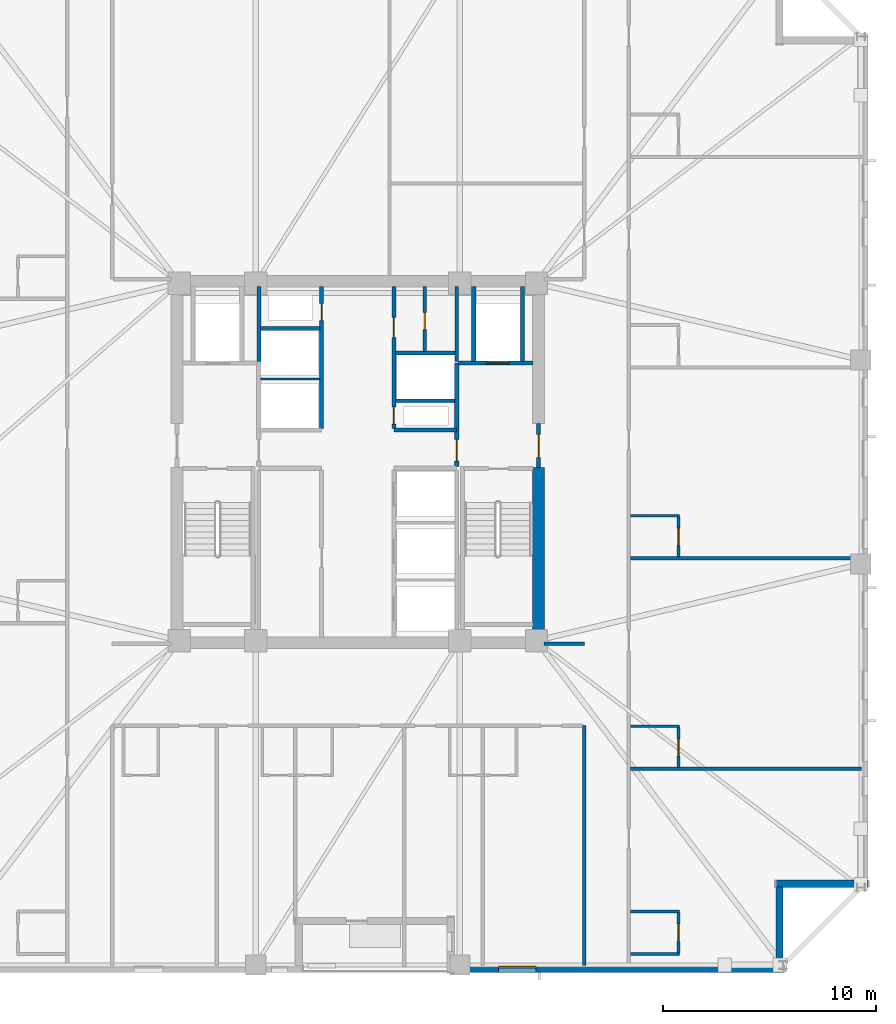
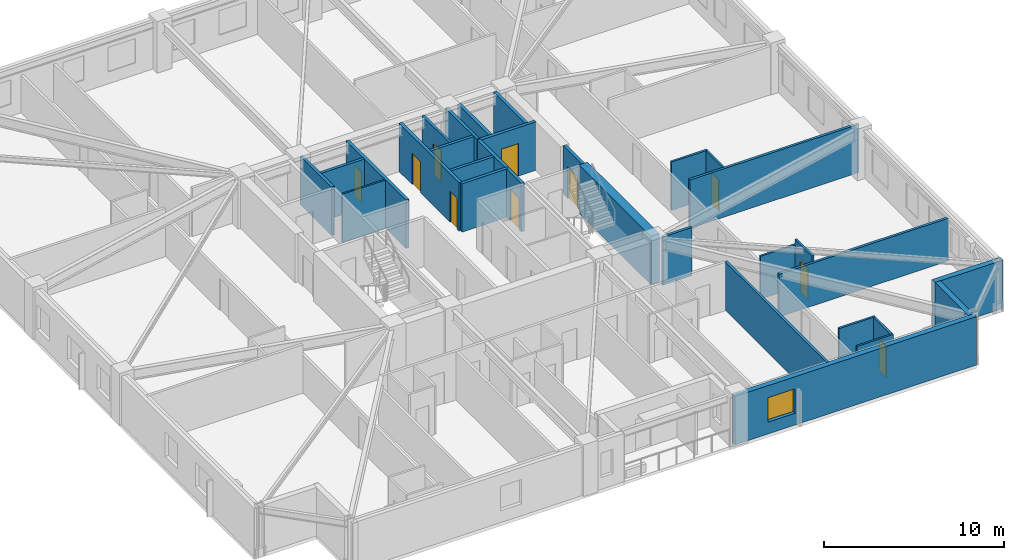
# One storey, part 4 of 11: 30 walls, 10 doors, 1 window, 11 openings.
"""IFC4 building model written with IfcOpenShell, lengths in metres."""

from ifc_helpers import new_model, si_unit, direction, frame, frame_2d, origin, place, context, subcontext, project, spatial, rectangle, extrude, material, layer, layer_set, type_object, element, fill, save


model = new_model("IFC4")

# Units and contexts
model_context = context("Model", 3, precision=1e-05, world=origin(), true_north=direction((0.0, 1.0)))
body_context = subcontext(model_context, "Body", "Model", "MODEL_VIEW")
ifc_project = project(units=[si_unit("LENGTHUNIT", "METRE"), si_unit("AREAUNIT", "SQUARE_METRE"), si_unit("VOLUMEUNIT", "CUBIC_METRE"), si_unit("PLANEANGLEUNIT", "RADIAN"), si_unit("MASSUNIT", "GRAM", prefix="KILO")], contexts=[model_context])

# Site, building, storey
site_placement = place(None, origin())
site = spatial("IfcSite", under=ifc_project, at=site_placement, CompositionType="ELEMENT")
building_placement = place(site_placement, origin())
building = spatial("IfcBuilding", under=site, at=building_placement, Name="Cairnveth Concourse Tower", CompositionType="ELEMENT")
storey_placement = place(building_placement, frame((0.0, 0.0, 158.5)))
storey = spatial("IfcBuildingStorey", under=building, at=storey_placement, Name="L43", CompositionType="ELEMENT", Elevation=158.5)

# Wall, opening, door
ifc_material_1 = material(Name="Gypsum Plasterboard Partition", Category="gypsum")
ifc_layer_1 = layer(ifc_material_1, 0.159912109375)
ifc_layer_set_1 = layer_set([ifc_layer_1], Name="Gypsum Plasterboard Partition")
wall_type_1 = type_object("IfcWallType", Name="ACOUSTIC PARTY WALL 180", PredefinedType="PARTITIONING", material=ifc_layer_set_1)
wall_1_placement = place(storey_placement, frame((55.14990234375, 44.195068359375, 0.0), z_axis=(0.0, 0.0, 1.0), x_axis=(0.0, 1.0, 0.0)))
wall_1 = element("IfcWall", 1, at=wall_1_placement, inside=storey, type_object=wall_type_1, Name="Interior Wall IW-L43-035", PredefinedType="PARTITIONING", context=body_context, shape_type="SweptSolid", body=[
    extrude(rectangle(XDim=3.044921875, YDim=0.159912109375, at=frame_2d((1.5224609375, 0.0))), origin(), (0.0, 0.0, 1.0), 3.280029296875),
])
opening_1_placement = place(wall_1_placement, frame((1.02490234375, 0.0, 0.0)))
opening_1 = element("IfcOpeningElement", 2, at=opening_1_placement, cuts=wall_1, Name="Opening ID23", PredefinedType="OPENING", context=body_context, shape_type="SweptSolid", body=[
    extrude(rectangle(XDim=0.800048828125, YDim=2.10009765625, at=frame_2d((0.39990234375, 1.050048828125))), frame((0.0, 0.08984375, 0.0), z_axis=(0.0, -1.0, 0.0), x_axis=(1.0, 0.0, 0.0)), (0.0, 0.0, 1.0), 0.179931640625),
])
ifc_material_2 = material(Name="Steel Grade 350", Category="steel")
door_type_1 = type_object("IfcDoorType", Name="CORE SERVICE DOOR 800X2100", OperationType="NOTDEFINED", PredefinedType="DOOR", material=ifc_material_2)
door_1_placement = place(opening_1_placement, origin())
door_1 = element("IfcDoor", 3, at=door_1_placement, inside=storey, type_object=door_type_1, Name="NE Linen Closet Door L43", OperationType="SINGLE_SWING_RIGHT", OverallHeight=2.10009765625, OverallWidth=0.800048828125, PredefinedType="DOOR", context=body_context, shape_type="SweptSolid", body=[
    extrude(rectangle(XDim=0.800048828125, YDim=2.10009765625, at=frame_2d((0.39990234375, 1.050048828125))), frame((0.0, 0.02490234375, 0.0), z_axis=(0.0, -1.0, 0.0), x_axis=(1.0, 0.0, 0.0)), (0.0, 0.0, 1.0), 0.050048828125),
])
fill(opening_1, door_1)

# Walls
wall_2_placement = place(storey_placement, frame((62.64990234375, 15.324951171875, 0.0), z_axis=(0.0, 0.0, 1.0), x_axis=(0.0, 1.0, 0.0)))
element("IfcWall", 4, at=wall_2_placement, inside=storey, type_object=wall_type_1, Name="Interior Wall IW-L43-042", PredefinedType="PARTITIONING", context=body_context, shape_type="SweptSolid", body=[
    extrude(rectangle(XDim=11.275146484375, YDim=0.159912109375, at=frame_2d((5.6376953125, 0.0))), origin(), (0.0, 0.0, 1.0), 3.280029296875),
])
wall_3_placement = place(storey_placement, frame((60.764892578125, 30.449951171875, 0.0), z_axis=(0.0, 0.0, 1.0), x_axis=(1.0, 0.0, 0.0)))
element("IfcWall", 5, at=wall_3_placement, inside=storey, type_object=wall_type_1, Name="Interior Wall IW-L43-044", PredefinedType="PARTITIONING", context=body_context, shape_type="SweptSolid", body=[
    extrude(rectangle(XDim=1.885009765625, YDim=0.159912109375, at=frame_2d((0.9423828125, 0.0))), origin(), (0.0, 0.0, 1.0), 3.280029296875),
])
wall_4_placement = place(storey_placement, frame((64.830078125, 24.577392578125, 0.0), z_axis=(0.0, 0.0, 1.0), x_axis=(1.0, 0.0, 0.0)))
element("IfcWall", 6, at=wall_4_placement, inside=storey, type_object=wall_type_1, Name="Interior Wall IW-L43-076", PredefinedType="PARTITIONING", context=body_context, shape_type="SweptSolid", body=[
    extrude(rectangle(XDim=10.844970703125, YDim=0.159912109375, at=frame_2d((5.42236328125, 0.0))), origin(), (0.0, 0.0, 1.0), 2.89599609375),
])
wall_5_placement = place(storey_placement, frame((64.830078125, 34.47412109375, 0.0), z_axis=(0.0, 0.0, 1.0), x_axis=(1.0, 0.0, 0.0)))
element("IfcWall", 7, at=wall_5_placement, inside=storey, type_object=wall_type_1, Name="Interior Wall IW-L43-079", PredefinedType="PARTITIONING", context=body_context, shape_type="SweptSolid", body=[
    extrude(rectangle(XDim=10.844970703125, YDim=0.159912109375, at=frame_2d((5.42236328125, 0.0))), origin(), (0.0, 0.0, 1.0), 3.280029296875),
])
ifc_material_3 = material(Name="Concrete N80 (80 MPa)", Category="concrete")
ifc_layer_2 = layer(ifc_material_3, 0.550048828125)
ifc_layer_set_2 = layer_set([ifc_layer_2], Name="Concrete N80 (80 MPa)")
wall_type_2 = type_object("IfcWallType", Name="CORE SHEAR WALL 550", PredefinedType="SHEAR", material=ifc_layer_set_2)
wall_6_placement = place(storey_placement, frame((60.5, 30.764892578125, 0.0), z_axis=(0.0, 0.0, 1.0), x_axis=(0.0, 1.0, 0.0)))
element("IfcWall", 8, at=wall_6_placement, inside=storey, type_object=wall_type_2, Name="Core East Shear Wall S L43", PredefinedType="SHEAR", context=body_context, shape_type="SweptSolid", body=[
    extrude(rectangle(XDim=7.985107421875, YDim=0.550048828125, at=frame_2d((3.99267578125, 0.0))), origin(), (0.0, 0.0, 1.0), 3.280029296875),
])
ifc_material_4 = material(Name="Concrete N50 (50 MPa)", Category="concrete")
ifc_layer_3 = layer(ifc_material_4, 0.179931640625)
ifc_layer_set_3 = layer_set([ifc_layer_3], Name="Concrete N50 (50 MPa)")
wall_type_3 = type_object("IfcWallType", Name="FIRE SHAFT WALL 180", PredefinedType="SOLIDWALL", material=ifc_layer_set_3)
wall_7_placement = place(storey_placement, frame((47.35009765625, 43.735107421875, 0.0), z_axis=(0.0, 0.0, 1.0), x_axis=(0.0, 1.0, 0.0)))
element("IfcWall", 9, at=wall_7_placement, inside=storey, type_object=wall_type_3, Name="Interior Wall IW-L43-029", PredefinedType="SOLIDWALL", context=body_context, shape_type="SweptSolid", body=[
    extrude(rectangle(XDim=3.5048828125, YDim=0.179931640625, at=frame_2d((1.75244140625, 0.0))), origin(), (0.0, 0.0, 1.0), 3.280029296875),
])
wall_8_placement = place(storey_placement, frame((47.425048828125, 45.280029296875, 0.0), z_axis=(0.0, 0.0, 1.0), x_axis=(1.0, 0.0, 0.0)))
element("IfcWall", 10, at=wall_8_placement, inside=storey, type_object=wall_type_3, Name="Interior Wall IW-L43-031", PredefinedType="SOLIDWALL", context=body_context, shape_type="SweptSolid", body=[
    extrude(rectangle(XDim=2.7900390625, YDim=0.179931640625, at=frame_2d((1.39501953125, 0.0))), origin(), (0.0, 0.0, 1.0), 3.280029296875),
])
wall_9_placement = place(storey_placement, frame((56.64990234375, 43.735107421875, 0.0), z_axis=(0.0, 0.0, 1.0), x_axis=(0.0, 1.0, 0.0)))
element("IfcWall", 11, at=wall_9_placement, inside=storey, type_object=wall_type_3, Name="Interior Wall IW-L43-032", PredefinedType="SOLIDWALL", context=body_context, shape_type="SweptSolid", body=[
    extrude(rectangle(XDim=3.5048828125, YDim=0.179931640625, at=frame_2d((1.75244140625, 0.0))), origin(), (0.0, 0.0, 1.0), 3.280029296875),
])
wall_10_placement = place(storey_placement, frame((53.784912109375, 41.8798828125, 0.0), z_axis=(0.0, 0.0, 1.0), x_axis=(1.0, 0.0, 0.0)))
element("IfcWall", 12, at=wall_10_placement, inside=storey, type_object=wall_type_3, Name="Interior Wall IW-L43-033", PredefinedType="SOLIDWALL", context=body_context, shape_type="SweptSolid", body=[
    extrude(rectangle(XDim=2.780029296875, YDim=0.179931640625, at=frame_2d((1.39013671875, 0.0))), origin(), (0.0, 0.0, 1.0), 3.280029296875),
])
wall_11_placement = place(storey_placement, frame((53.784912109375, 44.1201171875, 0.0), z_axis=(0.0, 0.0, 1.0), x_axis=(1.0, 0.0, 0.0)))
element("IfcWall", 13, at=wall_11_placement, inside=storey, type_object=wall_type_3, Name="Interior Wall IW-L43-034", PredefinedType="SOLIDWALL", context=body_context, shape_type="SweptSolid", body=[
    extrude(rectangle(XDim=2.7900390625, YDim=0.179931640625, at=frame_2d((1.39501953125, 0.0))), origin(), (0.0, 0.0, 1.0), 3.280029296875),
])
ifc_layer_4 = layer(ifc_material_4, 0.199951171875)
ifc_layer_set_4 = layer_set([ifc_layer_4], Name="Concrete N50 (50 MPa)")
wall_type_4 = type_object("IfcWallType", Name="FIRE SHAFT WALL 200", PredefinedType="SOLIDWALL", material=ifc_layer_set_4)
wall_12_placement = place(storey_placement, frame((53.699951171875, 40.5, 0.0), z_axis=(0.0, 0.0, 1.0), x_axis=(1.0, 0.0, 0.0)))
element("IfcWall", 14, at=wall_12_placement, inside=storey, type_object=wall_type_4, Name="Interior Wall IW-L43-010", PredefinedType="SOLIDWALL", context=body_context, shape_type="SweptSolid", body=[
    extrude(rectangle(XDim=2.949951171875, YDim=0.199951171875, at=frame_2d((1.47509765625, 0.0))), origin(), (0.0, 0.0, 1.0), 3.280029296875),
])

# Wall, opening, door
wall_13_placement = place(storey_placement, frame((50.300048828125, 40.5849609375, 0.0), z_axis=(0.0, 0.0, 1.0), x_axis=(0.0, 1.0, 0.0)))
wall_13 = element("IfcWall", 15, at=wall_13_placement, inside=storey, type_object=wall_type_4, Name="Interior Wall IW-L43-013", PredefinedType="SOLIDWALL", context=body_context, shape_type="SweptSolid", body=[
    extrude(rectangle(XDim=6.655029296875, YDim=0.199951171875, at=frame_2d((3.32763671875, 0.0))), origin(), (0.0, 0.0, 1.0), 3.280029296875),
])
opening_2_placement = place(wall_13_placement, frame((5.06494140625, 0.0, 0.0)))
opening_2 = element("IfcOpeningElement", 16, at=opening_2_placement, cuts=wall_13, Name="Opening ID24", PredefinedType="OPENING", context=body_context, shape_type="SweptSolid", body=[
    extrude(rectangle(XDim=0.800048828125, YDim=2.080078125, at=frame_2d((0.39990234375, 1.0400390625))), frame((0.0, 0.10986328125, 0.0), z_axis=(0.0, -1.0, 0.0), x_axis=(1.0, 0.0, 0.0)), (0.0, 0.0, 1.0), 0.219970703125),
])
door_type_2 = type_object("IfcDoorType", Name="RISER ACCESS DOOR 800X2100", OperationType="NOTDEFINED", PredefinedType="DOOR", material=ifc_material_2)
door_2_placement = place(opening_2_placement, origin())
door_2 = element("IfcDoor", 17, at=door_2_placement, inside=storey, type_object=door_type_2, Name="NW Electrical Riser Access Door L43", OperationType="SINGLE_SWING_LEFT", OverallHeight=2.080078125, OverallWidth=0.800048828125, PredefinedType="DOOR", context=body_context, shape_type="SweptSolid", body=[
    extrude(rectangle(XDim=0.800048828125, YDim=2.080078125, at=frame_2d((0.39990234375, 1.0400390625))), frame((0.0, 0.02490234375, 0.0), z_axis=(0.0, -1.0, 0.0), x_axis=(1.0, 0.0, 0.0)), (0.0, 0.0, 1.0), 0.050048828125),
])
fill(opening_2, door_2)

# Wall, openings, doors
wall_14_placement = place(storey_placement, frame((53.699951171875, 40.5849609375, 0.0), z_axis=(0.0, 0.0, 1.0), x_axis=(0.0, 1.0, 0.0)))
wall_14 = element("IfcWall", 18, at=wall_14_placement, inside=storey, type_object=wall_type_4, Name="Interior Wall IW-L43-014", PredefinedType="SOLIDWALL", context=body_context, shape_type="SweptSolid", body=[
    extrude(rectangle(XDim=6.655029296875, YDim=0.199951171875, at=frame_2d((3.32763671875, 0.0))), origin(), (0.0, 0.0, 1.0), 3.280029296875),
])
opening_3_placement = place(wall_14_placement, frame((0.195068359375, 0.0, 0.0)))
opening_3 = element("IfcOpeningElement", 19, at=opening_3_placement, cuts=wall_14, Name="Opening ID24", PredefinedType="OPENING", context=body_context, shape_type="SweptSolid", body=[
    extrude(rectangle(XDim=0.800048828125, YDim=2.080078125, at=frame_2d((0.39990234375, 1.0400390625))), frame((0.0, 0.10986328125, 0.0), z_axis=(0.0, -1.0, 0.0), x_axis=(1.0, 0.0, 0.0)), (0.0, 0.0, 1.0), 0.219970703125),
])
opening_4_placement = place(wall_14_placement, frame((4.264892578125, 0.0, 0.0)))
opening_4 = element("IfcOpeningElement", 20, at=opening_4_placement, cuts=wall_14, Name="Opening ID25", PredefinedType="OPENING", context=body_context, shape_type="SweptSolid", body=[
    extrude(rectangle(XDim=0.949951171875, YDim=2.1201171875, at=frame_2d((0.47509765625, 1.06005859375))), frame((0.0, 0.10986328125, 0.0), z_axis=(0.0, -1.0, 0.0), x_axis=(1.0, 0.0, 0.0)), (0.0, 0.0, 1.0), 0.219970703125),
])
door_type_3 = type_object("IfcDoorType", Name="CORE ACCESSIBLE FIRE DOOR 950X2120", OperationType="NOTDEFINED", PredefinedType="DOOR", material=ifc_material_2)
door_3_placement = place(opening_4_placement, origin())
door_3 = element("IfcDoor", 21, at=door_3_placement, inside=storey, type_object=door_type_3, Name="Core NE Restroom Door L43", OperationType="SINGLE_SWING_LEFT", OverallHeight=2.1201171875, OverallWidth=0.949951171875, PredefinedType="DOOR", context=body_context, shape_type="SweptSolid", body=[
    extrude(rectangle(XDim=0.949951171875, YDim=2.1201171875, at=frame_2d((0.47509765625, 1.06005859375))), frame((0.0, 0.02490234375, 0.0), z_axis=(0.0, -1.0, 0.0), x_axis=(1.0, 0.0, 0.0)), (0.0, 0.0, 1.0), 0.050048828125),
])
fill(opening_4, door_3)
door_4_placement = place(opening_3_placement, origin())
door_4 = element("IfcDoor", 22, at=door_4_placement, inside=storey, type_object=door_type_2, Name="Hydraulic Riser Door L43", OperationType="SINGLE_SWING_RIGHT", OverallHeight=2.080078125, OverallWidth=0.800048828125, PredefinedType="DOOR", context=body_context, shape_type="SweptSolid", body=[
    extrude(rectangle(XDim=0.800048828125, YDim=2.080078125, at=frame_2d((0.39990234375, 1.0400390625))), frame((0.0, 0.02490234375, 0.0), z_axis=(0.0, -1.0, 0.0), x_axis=(1.0, 0.0, 0.0)), (0.0, 0.0, 1.0), 0.050048828125),
])
fill(opening_3, door_4)

# Wall, opening, door
wall_15_placement = place(storey_placement, frame((60.5, 38.75, 0.0), z_axis=(0.0, 0.0, 1.0), x_axis=(0.0, 1.0, 0.0)))
wall_15 = element("IfcWall", 23, at=wall_15_placement, inside=storey, type_object=wall_type_4, Name="Interior Wall IW-L43-020", PredefinedType="SOLIDWALL", context=body_context, shape_type="SweptSolid", body=[
    extrude(rectangle(XDim=2.050048828125, YDim=0.199951171875, at=frame_2d((1.02490234375, 0.0))), origin(), (0.0, 0.0, 1.0), 3.280029296875),
])
opening_5_placement = place(wall_15_placement, frame((0.449951171875, 0.0, 0.0)))
opening_5 = element("IfcOpeningElement", 24, at=opening_5_placement, cuts=wall_15, Name="Opening ID06", PredefinedType="OPENING", context=body_context, shape_type="SweptSolid", body=[
    extrude(rectangle(XDim=1.10009765625, YDim=2.14990234375, at=frame_2d((0.550048828125, 1.074951171875))), frame((0.0, 0.10986328125, 0.0), z_axis=(0.0, -1.0, 0.0), x_axis=(1.0, 0.0, 0.0)), (0.0, 0.0, 1.0), 0.219970703125),
])
door_type_4 = type_object("IfcDoorType", Name="FIRE CORRIDOR DOOR 1100X2150", OperationType="NOTDEFINED", PredefinedType="DOOR", material=ifc_material_2)
door_5_placement = place(opening_5_placement, origin())
door_5 = element("IfcDoor", 25, at=door_5_placement, inside=storey, type_object=door_type_4, Name="East Wing to FF Lobby Door L43", OperationType="SINGLE_SWING_RIGHT", OverallHeight=2.14990234375, OverallWidth=1.10009765625, PredefinedType="DOOR", context=body_context, shape_type="SweptSolid", body=[
    extrude(rectangle(XDim=1.10009765625, YDim=2.14990234375, at=frame_2d((0.550048828125, 1.074951171875))), frame((0.0, 0.02490234375, 0.0), z_axis=(0.0, -1.0, 0.0), x_axis=(1.0, 0.0, 0.0)), (0.0, 0.0, 1.0), 0.050048828125),
])
fill(opening_5, door_5)

wall_16_placement = place(storey_placement, frame((56.64990234375, 38.784912109375, 0.0), z_axis=(0.0, 0.0, 1.0), x_axis=(0.0, 1.0, 0.0)))
wall_16 = element("IfcWall", 26, at=wall_16_placement, inside=storey, type_object=wall_type_4, Name="Interior Wall IW-L43-021", PredefinedType="SOLIDWALL", context=body_context, shape_type="SweptSolid", body=[
    extrude(rectangle(XDim=4.864990234375, YDim=0.199951171875, at=frame_2d((2.4326171875, 0.0))), origin(), (0.0, 0.0, 1.0), 3.280029296875),
])
opening_6_placement = place(wall_16_placement, frame((0.264892578125, 0.0, 0.0)))
opening_6 = element("IfcOpeningElement", 27, at=opening_6_placement, cuts=wall_16, Name="Opening ID07", PredefinedType="OPENING", context=body_context, shape_type="SweptSolid", body=[
    extrude(rectangle(XDim=1.0, YDim=2.14990234375, at=frame_2d((0.5, 1.074951171875))), frame((0.0, 0.10986328125, 0.0), z_axis=(0.0, -1.0, 0.0), x_axis=(1.0, 0.0, 0.0)), (0.0, 0.0, 1.0), 0.219970703125),
])
door_type_5 = type_object("IfcDoorType", Name="FIRE CORRIDOR DOOR 1000X2150", OperationType="NOTDEFINED", PredefinedType="DOOR", material=ifc_material_2)
door_6_placement = place(opening_6_placement, origin())
door_6 = element("IfcDoor", 28, at=door_6_placement, inside=storey, type_object=door_type_5, Name="FF Lobby East to Lift Lobby Door L43", OperationType="SINGLE_SWING_LEFT", OverallHeight=2.14990234375, OverallWidth=1.0, PredefinedType="DOOR", context=body_context, shape_type="SweptSolid", body=[
    extrude(rectangle(XDim=1.0, YDim=2.14990234375, at=frame_2d((0.5, 1.074951171875))), frame((0.0, 0.02490234375, 0.0), z_axis=(0.0, -1.0, 0.0), x_axis=(1.0, 0.0, 0.0)), (0.0, 0.0, 1.0), 0.050048828125),
])
fill(opening_6, door_6)

wall_17_placement = place(storey_placement, frame((56.735107421875, 43.64990234375, 0.0), z_axis=(0.0, 0.0, 1.0), x_axis=(1.0, 0.0, 0.0)))
wall_17 = element("IfcWall", 29, at=wall_17_placement, inside=storey, type_object=wall_type_4, Name="Interior Wall IW-L43-022", PredefinedType="SOLIDWALL", context=body_context, shape_type="SweptSolid", body=[
    extrude(rectangle(XDim=3.5048828125, YDim=0.199951171875, at=frame_2d((1.75244140625, 0.0))), origin(), (0.0, 0.0, 1.0), 3.280029296875),
])
opening_7_placement = place(wall_17_placement, frame((1.294921875, 0.0, 0.0)))
opening_7 = element("IfcOpeningElement", 30, at=opening_7_placement, cuts=wall_17, Name="Opening LD-1", PredefinedType="OPENING", context=body_context, shape_type="SweptSolid", body=[
    extrude(rectangle(XDim=1.10009765625, YDim=2.199951171875, at=frame_2d((0.550048828125, 1.10009765625))), frame((0.0, 0.10986328125, 0.0), z_axis=(0.0, -1.0, 0.0), x_axis=(1.0, 0.0, 0.0)), (0.0, 0.0, 1.0), 0.219970703125),
])
ifc_material_5 = material(Name="Architectural Bronze Anodised Aluminium 6063-T6", Category="aluminium")
door_type_6 = type_object("IfcDoorType", Name="LIFT LANDING DOOR 1100X2200", OperationType="SLIDING_TO_LEFT", PredefinedType="DOOR", material=ifc_material_5)
door_7_placement = place(opening_7_placement, origin())
door_7 = element("IfcDoor", 31, at=door_7_placement, inside=storey, type_object=door_type_6, Name="Lift FFL2 Landing Door L43", OperationType="SLIDING_TO_LEFT", OverallHeight=2.199951171875, OverallWidth=1.10009765625, PredefinedType="DOOR", context=body_context, shape_type="SweptSolid", body=[
    extrude(rectangle(XDim=1.10009765625, YDim=2.199951171875, at=frame_2d((0.550048828125, 1.10009765625))), frame((0.0, 0.02490234375, 0.0), z_axis=(0.0, -1.0, 0.0), x_axis=(1.0, 0.0, 0.0)), (0.0, 0.0, 1.0), 0.050048828125),
])
fill(opening_7, door_7)

# Walls
for number, where, z_axis, x_axis, name in (
    (32, (57.449951171875, 43.735107421875, 0.0), (0.0, 0.0, 1.0), (0.0, 1.0, 0.0), "Interior Wall IW-L43-023"),
    (33, (59.75, 43.735107421875, 0.0), (0.0, 0.0, 1.0), (0.0, 1.0, 0.0), "Interior Wall IW-L43-024"),
):
    element("IfcWall", number, at=place(storey_placement, frame(where, z_axis=z_axis, x_axis=x_axis)), inside=storey, type_object=wall_type_4, Name=name, PredefinedType="SOLIDWALL", context=body_context, shape_type="SweptSolid", body=[
        extrude(rectangle(XDim=3.5048828125, YDim=0.199951171875, at=frame_2d((1.75244140625, 0.0))), origin(), (0.0, 0.0, 1.0), 3.280029296875),
    ])
ifc_layer_5 = layer(ifc_material_1, 0.110107421875)
ifc_layer_set_5 = layer_set([ifc_layer_5], Name="Gypsum Plasterboard Partition")
wall_type_5 = type_object("IfcWallType", Name="SHAFT DIVIDER WALL 140", PredefinedType="PARTITIONING", material=ifc_layer_set_5)
wall_18_placement = place(storey_placement, frame((47.43505859375, 42.89990234375, 0.0), z_axis=(0.0, 0.0, 1.0), x_axis=(1.0, 0.0, 0.0)))
element("IfcWall", 34, at=wall_18_placement, inside=storey, type_object=wall_type_5, Name="Interior Wall IW-L43-030", PredefinedType="PARTITIONING", context=body_context, shape_type="SweptSolid", body=[
    extrude(rectangle(XDim=2.780029296875, YDim=0.110107421875, at=frame_2d((1.39013671875, 0.0))), origin(), (0.0, 0.0, 1.0), 3.280029296875),
])
ifc_layer_6 = layer(ifc_material_1, 0.1298828125)
ifc_layer_set_6 = layer_set([ifc_layer_6], Name="Gypsum Plasterboard Partition")
wall_type_6 = type_object("IfcWallType", Name="WET AREA PARTITION 140", PredefinedType="PLUMBINGWALL", material=ifc_layer_set_6)
for number, where, z_axis, x_axis, name in (
    (35, (64.81494140625, 15.8701171875, 0.0), (0.0, 0.0, 1.0), (1.0, 0.0, 0.0), "Interior Wall IW-L43-073"),
    (36, (64.81494140625, 17.8701171875, 0.0), (0.0, 0.0, 1.0), (1.0, 0.0, 0.0), "Interior Wall IW-L43-074"),
):
    element("IfcWall", number, at=place(storey_placement, frame(where, z_axis=z_axis, x_axis=x_axis)), inside=storey, type_object=wall_type_6, Name=name, PredefinedType="PLUMBINGWALL", context=body_context, shape_type="SweptSolid", body=[
        extrude(rectangle(XDim=2.31494140625, YDim=0.1298828125, at=frame_2d((1.157470703125, 0.0))), origin(), (0.0, 0.0, 1.0), 3.280029296875),
    ])

# Wall, opening, door
wall_19_placement = place(storey_placement, frame((67.080078125, 15.919921875, 0.0), z_axis=(0.0, 0.0, 1.0), x_axis=(0.0, 1.0, 0.0)))
wall_19 = element("IfcWall", 37, at=wall_19_placement, inside=storey, type_object=wall_type_6, Name="Interior Wall IW-L43-075", PredefinedType="PLUMBINGWALL", context=body_context, shape_type="SweptSolid", body=[
    extrude(rectangle(XDim=1.900146484375, YDim=0.1298828125, at=frame_2d((0.9501953125, 0.0))), origin(), (0.0, 0.0, 1.0), 3.280029296875),
])
opening_8_placement = place(wall_19_placement, frame((0.5400390625, 0.0, 0.0)))
opening_8 = element("IfcOpeningElement", 38, at=opening_8_placement, cuts=wall_19, Name="Opening ID22", PredefinedType="OPENING", context=body_context, shape_type="SweptSolid", body=[
    extrude(rectangle(XDim=0.820068359375, YDim=2.10009765625, at=frame_2d((0.41015625, 1.050048828125))), frame((0.0, 0.074951171875, 0.0), z_axis=(0.0, -1.0, 0.0), x_axis=(1.0, 0.0, 0.0)), (0.0, 0.0, 1.0), 0.14990234375),
])
ifc_material_6 = material(Name="Solid Core Hardwood Timber Leaf", Category="wood")
door_type_7 = type_object("IfcDoorType", Name="INTERIOR WC DOOR 820X2100", OperationType="NOTDEFINED", PredefinedType="DOOR", material=ifc_material_6)
door_8_placement = place(opening_8_placement, origin())
door_8 = element("IfcDoor", 39, at=door_8_placement, inside=storey, type_object=door_type_7, Name="En-Suite Door L43-E1", OperationType="SINGLE_SWING_RIGHT", OverallHeight=2.10009765625, OverallWidth=0.820068359375, PredefinedType="DOOR", context=body_context, shape_type="SweptSolid", body=[
    extrude(rectangle(XDim=0.820068359375, YDim=2.10009765625, at=frame_2d((0.41015625, 1.050048828125))), frame((0.0, 0.02490234375, 0.0), z_axis=(0.0, -1.0, 0.0), x_axis=(1.0, 0.0, 0.0)), (0.0, 0.0, 1.0), 0.050048828125),
])
fill(opening_8, door_8)

# Wall
wall_20_placement = place(storey_placement, frame((64.81494140625, 26.577392578125, 0.0), z_axis=(0.0, 0.0, 1.0), x_axis=(1.0, 0.0, 0.0)))
element("IfcWall", 40, at=wall_20_placement, inside=storey, type_object=wall_type_6, Name="Interior Wall IW-L43-077", PredefinedType="PLUMBINGWALL", context=body_context, shape_type="SweptSolid", body=[
    extrude(rectangle(XDim=2.31494140625, YDim=0.1298828125, at=frame_2d((1.157470703125, 0.0))), origin(), (0.0, 0.0, 1.0), 2.89599609375),
])

# Wall, opening, door
wall_21_placement = place(storey_placement, frame((67.080078125, 24.642333984375, 0.0), z_axis=(0.0, 0.0, 1.0), x_axis=(0.0, 1.0, 0.0)))
wall_21 = element("IfcWall", 41, at=wall_21_placement, inside=storey, type_object=wall_type_6, Name="Interior Wall IW-L43-078", PredefinedType="PLUMBINGWALL", context=body_context, shape_type="SweptSolid", body=[
    extrude(rectangle(XDim=1.885009765625, YDim=0.1298828125, at=frame_2d((0.9423828125, 0.0))), origin(), (0.0, 0.0, 1.0), 3.280029296875),
])
opening_9_placement = place(wall_21_placement, frame((0.52490234375, 0.0, 0.0)))
opening_9 = element("IfcOpeningElement", 42, at=opening_9_placement, cuts=wall_21, Name="Opening ID22", PredefinedType="OPENING", context=body_context, shape_type="SweptSolid", body=[
    extrude(rectangle(XDim=0.820068359375, YDim=2.10009765625, at=frame_2d((0.41015625, 1.050048828125))), frame((0.0, 0.074951171875, 0.0), z_axis=(0.0, -1.0, 0.0), x_axis=(1.0, 0.0, 0.0)), (0.0, 0.0, 1.0), 0.14990234375),
])
door_9_placement = place(opening_9_placement, origin())
door_9 = element("IfcDoor", 43, at=door_9_placement, inside=storey, type_object=door_type_7, Name="En-Suite Door L43-E2", OperationType="SINGLE_SWING_RIGHT", OverallHeight=2.10009765625, OverallWidth=0.820068359375, PredefinedType="DOOR", context=body_context, shape_type="SweptSolid", body=[
    extrude(rectangle(XDim=0.820068359375, YDim=2.10009765625, at=frame_2d((0.41015625, 1.050048828125))), frame((0.0, 0.02490234375, 0.0), z_axis=(0.0, -1.0, 0.0), x_axis=(1.0, 0.0, 0.0)), (0.0, 0.0, 1.0), 0.050048828125),
])
fill(opening_9, door_9)

# Wall
wall_22_placement = place(storey_placement, frame((64.81494140625, 36.47412109375, 0.0), z_axis=(0.0, 0.0, 1.0), x_axis=(1.0, 0.0, 0.0)))
element("IfcWall", 44, at=wall_22_placement, inside=storey, type_object=wall_type_6, Name="Interior Wall IW-L43-080", PredefinedType="PLUMBINGWALL", context=body_context, shape_type="SweptSolid", body=[
    extrude(rectangle(XDim=2.31494140625, YDim=0.1298828125, at=frame_2d((1.157470703125, 0.0))), origin(), (0.0, 0.0, 1.0), 3.280029296875),
])

# Wall, opening, door
wall_23_placement = place(storey_placement, frame((67.080078125, 34.5390625, 0.0), z_axis=(0.0, 0.0, 1.0), x_axis=(0.0, 1.0, 0.0)))
wall_23 = element("IfcWall", 45, at=wall_23_placement, inside=storey, type_object=wall_type_6, Name="Interior Wall IW-L43-081", PredefinedType="PLUMBINGWALL", context=body_context, shape_type="SweptSolid", body=[
    extrude(rectangle(XDim=1.885009765625, YDim=0.1298828125, at=frame_2d((0.9423828125, 0.0))), origin(), (0.0, 0.0, 1.0), 3.280029296875),
])
opening_10_placement = place(wall_23_placement, frame((0.52490234375, 0.0, 0.0)))
opening_10 = element("IfcOpeningElement", 46, at=opening_10_placement, cuts=wall_23, Name="Opening ID22", PredefinedType="OPENING", context=body_context, shape_type="SweptSolid", body=[
    extrude(rectangle(XDim=0.820068359375, YDim=2.10009765625, at=frame_2d((0.41015625, 1.050048828125))), frame((0.0, 0.074951171875, 0.0), z_axis=(0.0, -1.0, 0.0), x_axis=(1.0, 0.0, 0.0)), (0.0, 0.0, 1.0), 0.14990234375),
])
door_10_placement = place(opening_10_placement, origin())
door_10 = element("IfcDoor", 47, at=door_10_placement, inside=storey, type_object=door_type_7, Name="En-Suite Door L43-E3", OperationType="SINGLE_SWING_RIGHT", OverallHeight=2.10009765625, OverallWidth=0.820068359375, PredefinedType="DOOR", context=body_context, shape_type="SweptSolid", body=[
    extrude(rectangle(XDim=0.820068359375, YDim=2.10009765625, at=frame_2d((0.41015625, 1.050048828125))), frame((0.0, 0.02490234375, 0.0), z_axis=(0.0, -1.0, 0.0), x_axis=(1.0, 0.0, 0.0)), (0.0, 0.0, 1.0), 0.050048828125),
])
fill(opening_10, door_10)

# Walls
ifc_material_7 = material(Name="Hawthorn Red-Ochre Fired Clay Brick Masonry", Category="masonry")
ifc_layer_7 = layer(ifc_material_7, 0.340087890625)
ifc_layer_set_7 = layer_set([ifc_layer_7], Name="Hawthorn Red-Ochre Fired Clay Brick Masonry")
wall_type_7 = type_object("IfcWallType", Name="ZONE 2 BRICK PIER SPANDREL WALL 340", PredefinedType="SOLIDWALL", material=ifc_layer_set_7)
wall_24_placement = place(storey_placement, frame((76.0, 19.169921875, 0.0), z_axis=(0.0, 0.0, 1.0), x_axis=(-1.0, 0.0, 0.0)))
element("IfcWall", 48, at=wall_24_placement, inside=storey, type_object=wall_type_7, Name="Exterior Wall EW-L43-S10", PredefinedType="SOLIDWALL", context=body_context, shape_type="SweptSolid", body=[
    extrude(rectangle(XDim=4.340087890625, YDim=0.340087890625, at=frame_2d((2.169921875, 0.0))), origin(), (0.0, 0.0, 1.0), 3.280029296875),
])
wall_25_placement = place(storey_placement, frame((71.830078125, 19.02197265625, 0.0), z_axis=(0.0, 0.0, 1.0), x_axis=(0.0, -1.0, 0.0)))
element("IfcWall", 49, at=wall_25_placement, inside=storey, type_object=wall_type_7, Name="Exterior Wall EW-L43-S11", PredefinedType="SOLIDWALL", context=body_context, shape_type="SweptSolid", body=[
    extrude(rectangle(XDim=3.703857421875, YDim=0.340087890625, at=frame_2d((1.85205078125, 0.0))), origin(), (0.0, 0.0, 1.0), 3.280029296875),
])

# Wall, opening, window
wall_26_placement = place(storey_placement, frame((72.0, 15.169921875, 0.0), z_axis=(0.0, 0.0, 1.0), x_axis=(-1.0, 0.0, 0.0)))
wall_26 = element("IfcWall", 50, at=wall_26_placement, inside=storey, type_object=wall_type_7, Name="Exterior Wall EW-L43-S12", PredefinedType="SOLIDWALL", context=body_context, shape_type="SweptSolid", body=[
    extrude(rectangle(XDim=15.48193359375, YDim=0.340087890625, at=frame_2d((7.740966796875, 0.0))), origin(), (0.0, 0.0, 1.0), 3.280029296875),
])
opening_11_placement = place(wall_26_placement, frame((11.626708984375, 0.0, 0.800048828125)))
opening_11 = element("IfcOpeningElement", 51, at=opening_11_placement, cuts=wall_26, Name="Opening W06", PredefinedType="OPENING", context=body_context, shape_type="SweptSolid", body=[
    extrude(rectangle(XDim=1.75, YDim=1.659912109375, at=frame_2d((0.875, 0.830078125))), frame((0.0, 0.179931640625, 0.0), z_axis=(0.0, -1.0, 0.0), x_axis=(1.0, 0.0, 0.0)), (0.0, 0.0, 1.0), 0.360107421875),
])
ifc_material_8 = material(Name="Double Glazed Low-E Clear Glass", Category="glass")
window_type = type_object("IfcWindowType", Name="DEEP-SET HOTEL SUITE WINDOW 1750X1800", PartitioningType="DOUBLE_PANEL_VERTICAL", PredefinedType="WINDOW", material=ifc_material_8)
window_placement = place(opening_11_placement, origin())
window = element("IfcWindow", 52, at=window_placement, inside=storey, type_object=window_type, Name="Gothic Lancet Window L43-12-3", OverallHeight=1.659912109375, OverallWidth=1.75, PartitioningType="SINGLE_PANEL", PredefinedType="WINDOW", context=body_context, shape_type="SweptSolid", body=[
    extrude(rectangle(XDim=1.75, YDim=1.659912109375, at=frame_2d((0.875, 0.830078125))), frame((0.0, -0.050048828125, 0.0), z_axis=(0.0, -1.0, 0.0), x_axis=(1.0, 0.0, 0.0)), (0.0, 0.0, 1.0), 0.06005859375),
])
fill(opening_11, window)

save(model, "model.ifc")
